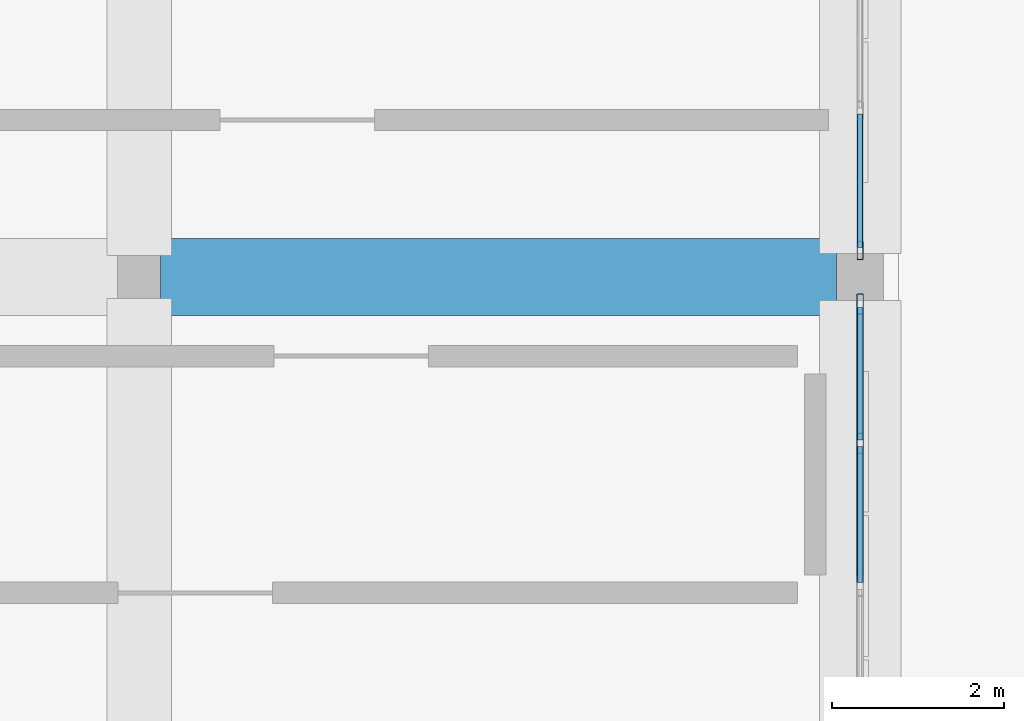
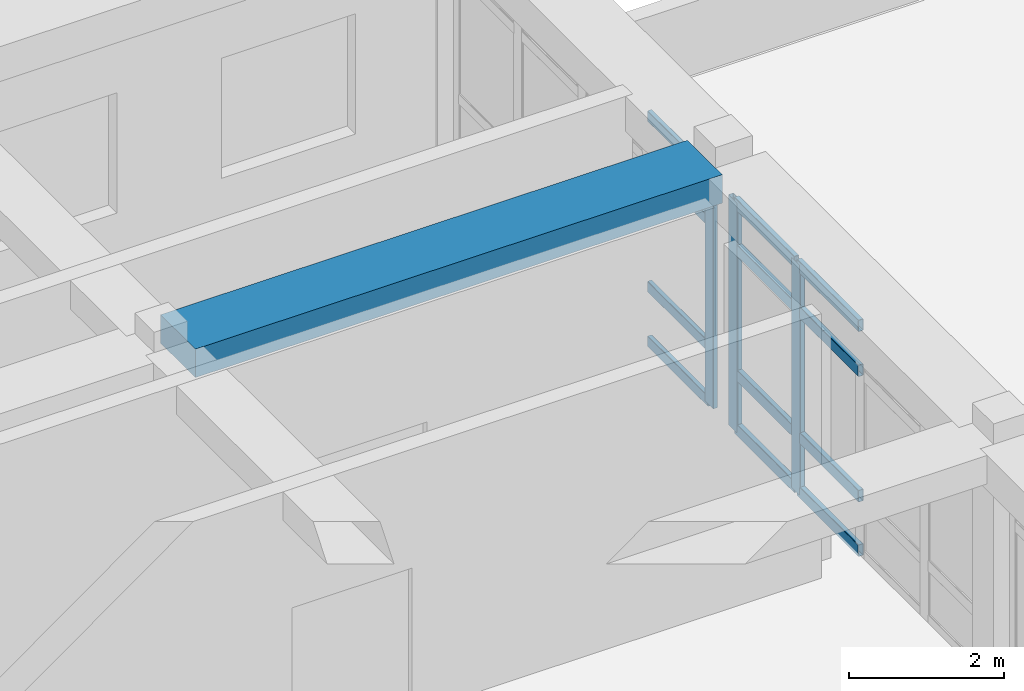
# One storey, part 45 of 111: 15 members, 1 beam, 2 elements without a shape of their own.
"""IFC4 building model written with IfcOpenShell, lengths in metres."""

from ifc_helpers import new_model, si_unit, derived_unit, direction, frame, origin, origin_2d, place, context, subcontext, project, spatial, rectangle, hollow_rectangle, extrude, material, material_profile, profile_set, type_object, element, aggregate, save


model = new_model("IFC4")

# Units and contexts
model_context = context("Model", 3, precision=1e-05, world=origin(), true_north=direction((0.0, 1.0)))
body_context = subcontext(model_context, "Body", "Model", "MODEL_VIEW")
ifc_project = project(units=[si_unit("LENGTHUNIT", "METRE"), si_unit("AREAUNIT", "SQUARE_METRE"), si_unit("VOLUMEUNIT", "CUBIC_METRE"), si_unit("PLANEANGLEUNIT", "RADIAN"), si_unit("MASSUNIT", "GRAM", prefix="KILO"), derived_unit("THERMALTRANSMITTANCEUNIT", [(si_unit("POWERUNIT", "WATT"), 1), (si_unit("LENGTHUNIT", "METRE"), -2), (si_unit("THERMODYNAMICTEMPERATUREUNIT", "KELVIN"), -1)])], contexts=[model_context])

# Site, building, storey
site_placement = place(None, origin())
site = spatial("IfcSite", under=ifc_project, at=site_placement, CompositionType="ELEMENT")
building_placement = place(site_placement, origin())
building = spatial("IfcBuilding", under=site, at=building_placement, Name="Veybourne Emporium", CompositionType="ELEMENT")
storey_placement = place(building_placement, frame((0.0, 0.0, 9.89990234375)))
storey = spatial("IfcBuildingStorey", under=building, at=storey_placement, Name="L02", CompositionType="ELEMENT", Elevation=9.89990234375)

# Curtain wall, members
ifc_material_1 = material(Name="Patinated Architectural Bronze", Category="bronze")
curtain_wall_type_1 = type_object("IfcCurtainWallType", Name="CWSystem_CWS-03", PredefinedType="NOTDEFINED", material=ifc_material_1)
curtain_wall_1_placement = place(storey_placement, origin())
curtain_wall_1 = element("IfcCurtainWall", 1, at=curtain_wall_1_placement, inside=storey, type_object=curtain_wall_type_1, Name="L02 bronze glazed curtain wall CWS-03 (074)", PredefinedType="NOTDEFINED")
ifc_material_profile_1 = material_profile(ifc_material_1, hollow_rectangle(XDim=0.077880859375, YDim=0.235107421875, WallThickness=0.0048828125, InnerFilletRadius=0.007568359375, OuterFilletRadius=0.012451171875, at=origin_2d()), Name="CWM 78x235x5")
ifc_profile_set_1 = profile_set([ifc_material_profile_1], Name="Patinated Architectural Bronze")
member_type_1 = type_object("IfcMemberType", Name="CWMullion_CW-M3", PredefinedType="MULLION", material=ifc_profile_set_1)
member_1_placement = place(storey_placement, frame((151.199951171875, 14.0859375, 0.0), z_axis=(0.0, 0.0, 1.0), x_axis=(1.0, 0.0, 0.0)))
member_1 = element("IfcMember", 2, at=member_1_placement, type_object=member_type_1, Name="CWS-03 mullion 1", PredefinedType="MULLION", context=body_context, shape_type="SweptSolid", body=[
    extrude(hollow_rectangle(XDim=0.077880859375, YDim=0.235107421875, WallThickness=0.0048828125, InnerFilletRadius=0.007568359375, OuterFilletRadius=0.012451171875, at=origin_2d()), origin(), (0.0, 0.0, 1.0), 3.630126953125),
])
member_2_placement = place(storey_placement, frame((151.199951171875, 12.46240234375, 0.0), z_axis=(0.0, 0.0, 1.0), x_axis=(1.0, 0.0, 0.0)))
member_2 = element("IfcMember", 3, at=member_2_placement, type_object=member_type_1, Name="CWS-03 mullion 2", PredefinedType="MULLION", context=body_context, shape_type="SweptSolid", body=[
    extrude(hollow_rectangle(XDim=0.077880859375, YDim=0.235107421875, WallThickness=0.0048828125, InnerFilletRadius=0.007568359375, OuterFilletRadius=0.012451171875, at=origin_2d()), origin(), (0.0, 0.0, 1.0), 3.630126953125),
])

# Curtain wall, member
curtain_wall_type_2 = type_object("IfcCurtainWallType", Name="CWSystem_CWS-04", PredefinedType="NOTDEFINED", material=ifc_material_1)
curtain_wall_2_placement = place(storey_placement, origin())
curtain_wall_2 = element("IfcCurtainWall", 4, at=curtain_wall_2_placement, inside=storey, type_object=curtain_wall_type_2, Name="L02 bronze glazed curtain wall CWS-04 (075)", PredefinedType="NOTDEFINED")
ifc_material_profile_2 = material_profile(ifc_material_1, hollow_rectangle(XDim=0.070068359375, YDim=0.219970703125, WallThickness=0.0048828125, InnerFilletRadius=0.007568359375, OuterFilletRadius=0.012451171875, at=origin_2d()), Name="CWM 70x220x5")
ifc_profile_set_2 = profile_set([ifc_material_profile_2], Name="Patinated Architectural Bronze")
member_type_2 = type_object("IfcMemberType", Name="CWMullion_CW-M4", PredefinedType="MULLION", material=ifc_profile_set_2)
member_3_placement = place(storey_placement, frame((151.199951171875, 14.7099609375, 0.0), z_axis=(0.0, 0.0, 1.0), x_axis=(1.0, 0.0, 0.0)))
member_3 = element("IfcMember", 5, at=member_3_placement, type_object=member_type_2, Name="CWS-04 mullion 5", PredefinedType="MULLION", context=body_context, shape_type="SweptSolid", body=[
    extrude(hollow_rectangle(XDim=0.070068359375, YDim=0.219970703125, WallThickness=0.0048828125, InnerFilletRadius=0.007568359375, OuterFilletRadius=0.012451171875, at=origin_2d()), origin(), (0.0, 0.0, 1.0), 3.630126953125),
])

# Member
ifc_material_profile_3 = material_profile(ifc_material_1, hollow_rectangle(XDim=0.077880859375, YDim=0.18505859375, WallThickness=0.0048828125, InnerFilletRadius=0.007568359375, OuterFilletRadius=0.012451171875, at=origin_2d()), Name="CWT 78x185x5")
ifc_profile_set_3 = profile_set([ifc_material_profile_3], Name="Patinated Architectural Bronze")
member_type_3 = type_object("IfcMemberType", Name="CWTransom_CW-T3", PredefinedType="NOTDEFINED", material=ifc_profile_set_3)
member_4_placement = place(storey_placement, frame((151.199951171875, 14.047119140625, 0.0390625), z_axis=(0.0, -1.0, 0.0), x_axis=(1.0, 0.0, 0.0)))
member_4 = element("IfcMember", 6, at=member_4_placement, type_object=member_type_3, Name="CWS-03 transom 1.1", ObjectType="TRANSOM", PredefinedType="USERDEFINED", context=body_context, shape_type="SweptSolid", body=[
    extrude(hollow_rectangle(XDim=0.077880859375, YDim=0.18505859375, WallThickness=0.0048828125, InnerFilletRadius=0.007568359375, OuterFilletRadius=0.012451171875, at=origin_2d()), origin(), (0.0, 0.0, 1.0), 1.545654296875),
])

member_5_placement = place(storey_placement, frame((151.199951171875, 14.047119140625, 0.900146484375), z_axis=(0.0, -1.0, 0.0), x_axis=(1.0, 0.0, 0.0)))
member_5 = element("IfcMember", 7, at=member_5_placement, type_object=member_type_3, Name="CWS-03 transom 1.2", ObjectType="TRANSOM", PredefinedType="USERDEFINED", context=body_context, shape_type="SweptSolid", body=[
    extrude(hollow_rectangle(XDim=0.077880859375, YDim=0.18505859375, WallThickness=0.0048828125, InnerFilletRadius=0.007568359375, OuterFilletRadius=0.012451171875, at=origin_2d()), origin(), (0.0, 0.0, 1.0), 1.545654296875),
])

member_6_placement = place(storey_placement, frame((151.199951171875, 14.047119140625, 2.880126953125), z_axis=(0.0, -1.0, 0.0), x_axis=(1.0, 0.0, 0.0)))
member_6 = element("IfcMember", 8, at=member_6_placement, type_object=member_type_3, Name="CWS-03 transom 1.3", ObjectType="TRANSOM", PredefinedType="USERDEFINED", context=body_context, shape_type="SweptSolid", body=[
    extrude(hollow_rectangle(XDim=0.077880859375, YDim=0.18505859375, WallThickness=0.0048828125, InnerFilletRadius=0.007568359375, OuterFilletRadius=0.012451171875, at=origin_2d()), origin(), (0.0, 0.0, 1.0), 1.545654296875),
])

member_7_placement = place(storey_placement, frame((151.199951171875, 14.047119140625, 3.591064453125), z_axis=(0.0, -1.0, 0.0), x_axis=(1.0, 0.0, 0.0)))
member_7 = element("IfcMember", 9, at=member_7_placement, type_object=member_type_3, Name="CWS-03 transom 1.4", ObjectType="TRANSOM", PredefinedType="USERDEFINED", context=body_context, shape_type="SweptSolid", body=[
    extrude(hollow_rectangle(XDim=0.077880859375, YDim=0.18505859375, WallThickness=0.0048828125, InnerFilletRadius=0.007568359375, OuterFilletRadius=0.012451171875, at=origin_2d()), origin(), (0.0, 0.0, 1.0), 1.545654296875),
])

member_8_placement = place(storey_placement, frame((151.199951171875, 12.423583984375, 0.0390625), z_axis=(0.0, -1.0, 0.0), x_axis=(1.0, 0.0, 0.0)))
member_8 = element("IfcMember", 10, at=member_8_placement, type_object=member_type_3, Name="CWS-03 transom 2.1", ObjectType="TRANSOM", PredefinedType="USERDEFINED", context=body_context, shape_type="SweptSolid", body=[
    extrude(hollow_rectangle(XDim=0.077880859375, YDim=0.18505859375, WallThickness=0.0048828125, InnerFilletRadius=0.007568359375, OuterFilletRadius=0.012451171875, at=origin_2d()), origin(), (0.0, 0.0, 1.0), 1.58447265625),
])

member_9_placement = place(storey_placement, frame((151.199951171875, 12.423583984375, 0.900146484375), z_axis=(0.0, -1.0, 0.0), x_axis=(1.0, 0.0, 0.0)))
member_9 = element("IfcMember", 11, at=member_9_placement, type_object=member_type_3, Name="CWS-03 transom 2.2", ObjectType="TRANSOM", PredefinedType="USERDEFINED", context=body_context, shape_type="SweptSolid", body=[
    extrude(hollow_rectangle(XDim=0.077880859375, YDim=0.18505859375, WallThickness=0.0048828125, InnerFilletRadius=0.007568359375, OuterFilletRadius=0.012451171875, at=origin_2d()), origin(), (0.0, 0.0, 1.0), 1.58447265625),
])

member_10_placement = place(storey_placement, frame((151.199951171875, 12.423583984375, 2.880126953125), z_axis=(0.0, -1.0, 0.0), x_axis=(1.0, 0.0, 0.0)))
member_10 = element("IfcMember", 12, at=member_10_placement, type_object=member_type_3, Name="CWS-03 transom 2.3", ObjectType="TRANSOM", PredefinedType="USERDEFINED", context=body_context, shape_type="SweptSolid", body=[
    extrude(hollow_rectangle(XDim=0.077880859375, YDim=0.18505859375, WallThickness=0.0048828125, InnerFilletRadius=0.007568359375, OuterFilletRadius=0.012451171875, at=origin_2d()), origin(), (0.0, 0.0, 1.0), 1.58447265625),
])

member_11_placement = place(storey_placement, frame((151.199951171875, 12.423583984375, 3.591064453125), z_axis=(0.0, -1.0, 0.0), x_axis=(1.0, 0.0, 0.0)))
member_11 = element("IfcMember", 13, at=member_11_placement, type_object=member_type_3, Name="CWS-03 transom 2.4", ObjectType="TRANSOM", PredefinedType="USERDEFINED", context=body_context, shape_type="SweptSolid", body=[
    extrude(hollow_rectangle(XDim=0.077880859375, YDim=0.18505859375, WallThickness=0.0048828125, InnerFilletRadius=0.007568359375, OuterFilletRadius=0.012451171875, at=origin_2d()), origin(), (0.0, 0.0, 1.0), 1.58447265625),
])

aggregate(curtain_wall_1, [member_1, member_2, member_4, member_5, member_6, member_7, member_8, member_9, member_10, member_11])

ifc_material_profile_4 = material_profile(ifc_material_1, hollow_rectangle(XDim=0.070068359375, YDim=0.169921875, WallThickness=0.0048828125, InnerFilletRadius=0.007568359375, OuterFilletRadius=0.012451171875, at=origin_2d()), Name="CWT 70x170x5")
ifc_profile_set_4 = profile_set([ifc_material_profile_4], Name="Patinated Architectural Bronze")
member_type_4 = type_object("IfcMemberType", Name="CWTransom_CW-T4", PredefinedType="NOTDEFINED", material=ifc_profile_set_4)
member_12_placement = place(storey_placement, frame((151.199951171875, 16.302490234375, 0.03515625), z_axis=(0.0, -1.0, 0.0), x_axis=(1.0, 0.0, 0.0)))
member_12 = element("IfcMember", 14, at=member_12_placement, type_object=member_type_4, Name="CWS-04 transom 4.1", ObjectType="TRANSOM", PredefinedType="USERDEFINED", context=body_context, shape_type="SweptSolid", body=[
    extrude(hollow_rectangle(XDim=0.070068359375, YDim=0.169921875, WallThickness=0.0048828125, InnerFilletRadius=0.007568359375, OuterFilletRadius=0.012451171875, at=origin_2d()), origin(), (0.0, 0.0, 1.0), 1.557373046875),
])

member_13_placement = place(storey_placement, frame((151.199951171875, 16.302490234375, 0.900146484375), z_axis=(0.0, -1.0, 0.0), x_axis=(1.0, 0.0, 0.0)))
member_13 = element("IfcMember", 15, at=member_13_placement, type_object=member_type_4, Name="CWS-04 transom 4.2", ObjectType="TRANSOM", PredefinedType="USERDEFINED", context=body_context, shape_type="SweptSolid", body=[
    extrude(hollow_rectangle(XDim=0.070068359375, YDim=0.169921875, WallThickness=0.0048828125, InnerFilletRadius=0.007568359375, OuterFilletRadius=0.012451171875, at=origin_2d()), origin(), (0.0, 0.0, 1.0), 1.557373046875),
])

member_14_placement = place(storey_placement, frame((151.199951171875, 16.302490234375, 2.880126953125), z_axis=(0.0, -1.0, 0.0), x_axis=(1.0, 0.0, 0.0)))
member_14 = element("IfcMember", 16, at=member_14_placement, type_object=member_type_4, Name="CWS-04 transom 4.3", ObjectType="TRANSOM", PredefinedType="USERDEFINED", context=body_context, shape_type="SweptSolid", body=[
    extrude(hollow_rectangle(XDim=0.070068359375, YDim=0.169921875, WallThickness=0.0048828125, InnerFilletRadius=0.007568359375, OuterFilletRadius=0.012451171875, at=origin_2d()), origin(), (0.0, 0.0, 1.0), 1.557373046875),
])

member_15_placement = place(storey_placement, frame((151.199951171875, 16.302490234375, 3.59521484375), z_axis=(0.0, -1.0, 0.0), x_axis=(1.0, 0.0, 0.0)))
member_15 = element("IfcMember", 17, at=member_15_placement, type_object=member_type_4, Name="CWS-04 transom 4.4", ObjectType="TRANSOM", PredefinedType="USERDEFINED", context=body_context, shape_type="SweptSolid", body=[
    extrude(hollow_rectangle(XDim=0.070068359375, YDim=0.169921875, WallThickness=0.0048828125, InnerFilletRadius=0.007568359375, OuterFilletRadius=0.012451171875, at=origin_2d()), origin(), (0.0, 0.0, 1.0), 1.557373046875),
])

aggregate(curtain_wall_2, [member_3, member_12, member_13, member_14, member_15])

# Beam
ifc_material_2 = material(Name="Concrete C32/40", Category="concrete")
ifc_material_profile_5 = material_profile(ifc_material_2, rectangle(XDim=0.89990234375, YDim=0.449951171875, at=origin_2d()), Name="RC 900x450")
ifc_profile_set_5 = profile_set([ifc_material_profile_5], Name="Concrete C32/40")
beam_type = type_object("IfcBeamType", Name="RCBeam_BB-03", PredefinedType="BEAM", material=ifc_profile_set_5)
beam_placement = place(storey_placement, frame((143.050048828125, 14.39990234375, 3.955078125), z_axis=(1.0, 0.0, 0.0), x_axis=(0.0, 1.0, 0.0)))
element("IfcBeam", 18, at=beam_placement, inside=storey, type_object=beam_type, Name="L02 X-grid beam BB-03 (17,2)", PredefinedType="BEAM", context=body_context, shape_type="SweptSolid", body=[
    extrude(rectangle(XDim=0.89990234375, YDim=0.449951171875, at=origin_2d()), origin(), (0.0, 0.0, 1.0), 7.875),
])

save(model, "model.ifc")
